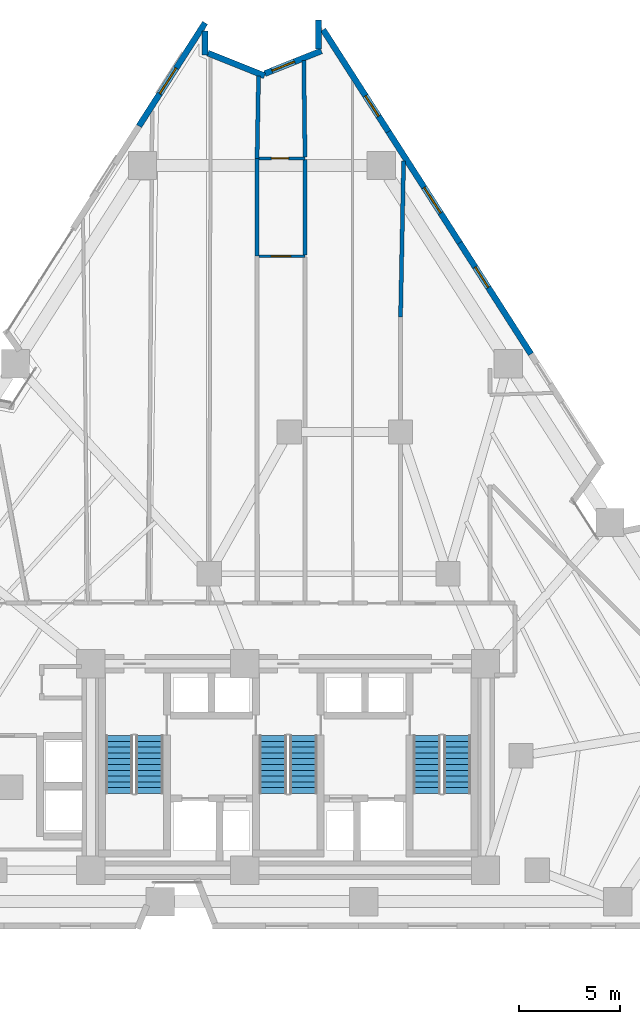
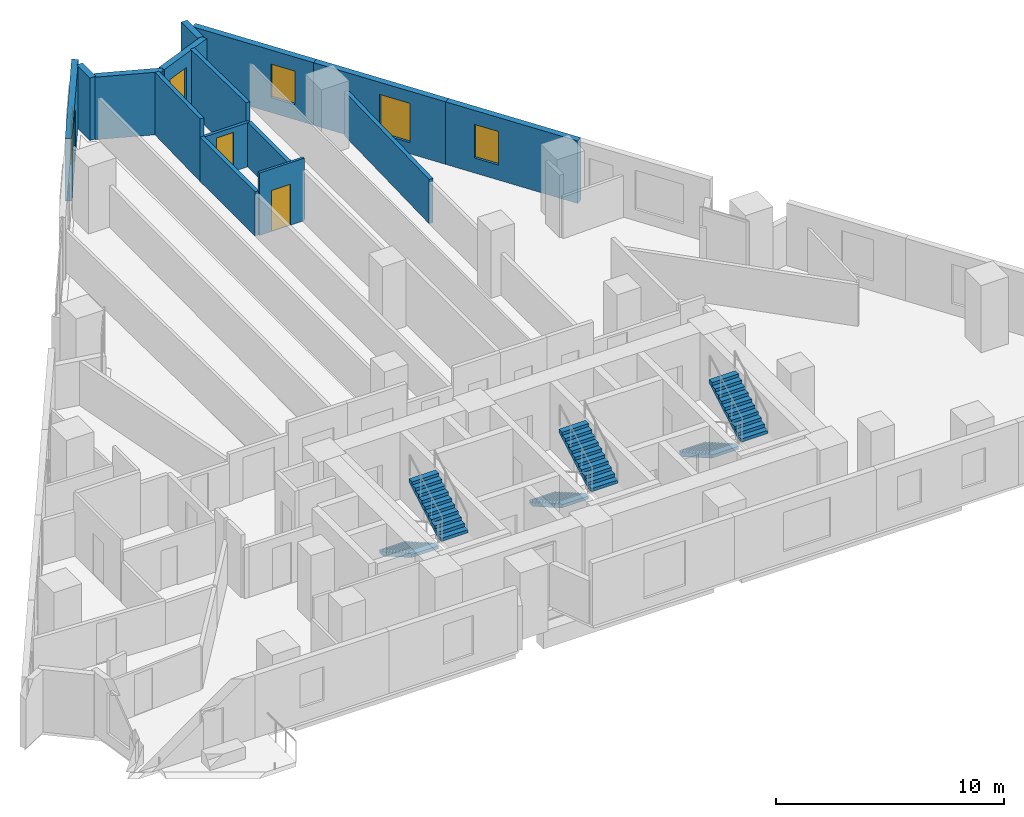
# One storey, part 11 of 15: 15 walls, 6 stair flights, 5 windows, 2 doors, 7 openings, 3 elements without a shape of their own.
"""IFC4 building model written with IfcOpenShell, lengths in metres."""

from ifc_helpers import new_model, si_unit, direction, frame, frame_2d, origin, place, context, subcontext, project, spatial, polyline, rectangle, outline, extrude, material, layer, layer_set, type_object, element, fill, aggregate, save


model = new_model("IFC4")

# Units and contexts
model_context = context("Model", 3, precision=1e-05, world=origin(), true_north=direction((0.0, 1.0)))
body_context = subcontext(model_context, "Body", "Model", "MODEL_VIEW")
ifc_project = project(units=[si_unit("LENGTHUNIT", "METRE"), si_unit("AREAUNIT", "SQUARE_METRE"), si_unit("VOLUMEUNIT", "CUBIC_METRE"), si_unit("PLANEANGLEUNIT", "RADIAN"), si_unit("MASSUNIT", "GRAM", prefix="KILO")], contexts=[model_context])

# Site, building, storey
site_placement = place(None, origin())
site = spatial("IfcSite", under=ifc_project, at=site_placement, CompositionType="ELEMENT")
building_placement = place(site_placement, origin())
building = spatial("IfcBuilding", under=site, at=building_placement, Name="Almagre Mirador Tower", CompositionType="ELEMENT")
storey_placement = place(building_placement, frame((0.0, 0.0, 31.800048828125)))
storey = spatial("IfcBuildingStorey", under=building, at=storey_placement, Name="L06", CompositionType="ELEMENT", Elevation=31.800048828125)

# Wall, opening, window
ifc_material_1 = material(Name="Precast concrete C50/60", Category="concrete")
ifc_layer_1 = layer(ifc_material_1, 0.300048828125)
ifc_layer_set_1 = layer_set([ifc_layer_1], Name="Precast concrete C50/60")
wall_type_1 = type_object("IfcWallType", Name="WAL-EXT-300", PredefinedType="SOLIDWALL", material=ifc_layer_set_1)
wall_1_placement = place(storey_placement, frame((29.92529296875, 41.321044921875, 0.0), z_axis=(0.0, 0.0, 1.0), x_axis=(0.53953502124, 0.841963158847, 0.0)))
wall_1 = element("IfcWall", 1, at=wall_1_placement, inside=storey, type_object=wall_type_1, Name="L06 expressed almagre precast frame wall 04", PredefinedType="SOLIDWALL", context=body_context, shape_type="SweptSolid", body=[
    extrude(rectangle(XDim=6.05859375, YDim=0.300048828125, at=frame_2d((3.029296875, 0.0))), origin(), (0.0, 0.0, 1.0), 3.349853515625),
])
opening_1_placement = place(wall_1_placement, frame((1.89990234375, 0.0, 0.60009765625)))
opening_1 = element("IfcOpeningElement", 2, at=opening_1_placement, cuts=wall_1, Name="Opening WN-03", PredefinedType="OPENING", context=body_context, shape_type="SweptSolid", body=[
    extrude(rectangle(XDim=1.5, YDim=2.10009765625, at=frame_2d((0.75, 1.050048828125))), frame((0.0, 0.159902, 0.0), z_axis=(0.0, -1.0, 0.0), x_axis=(1.0, 0.0, 0.0)), (0.0, 0.0, 1.0), 0.320049),
])
ifc_material_2 = material(Name="Dark solar-control laminated hurricane glass", Category="glass")
window_type_1 = type_object("IfcWindowType", Name="WIN-1500X2100", PartitioningType="DOUBLE_PANEL_VERTICAL", PredefinedType="WINDOW", material=ifc_material_2)
window_1_placement = place(opening_1_placement, origin())
window_1 = element("IfcWindow", 3, at=window_1_placement, inside=storey, type_object=window_type_1, Name="L06 recessed hurricane window L06-RST-L", OverallHeight=2.10009765625, OverallWidth=1.5, PartitioningType="SINGLE_PANEL", PredefinedType="WINDOW", context=body_context, shape_type="SweptSolid", body=[
    extrude(rectangle(XDim=1.5, YDim=2.10009765625, at=frame_2d((0.75, 1.050048828125))), frame((0.0, 0.030029296875, 0.0), z_axis=(0.0, -1.0, 0.0), x_axis=(1.0, 0.0, 0.0)), (0.0, 0.0, 1.0), 0.06005859375),
])
fill(opening_1, window_1)

# Walls
wall_2_placement = place(storey_placement, frame((33.194091796875, 46.011962890625, 0.0), z_axis=(0.0, 0.0, 1.0), x_axis=(0.0, -1.0, 0.0)))
element("IfcWall", 4, at=wall_2_placement, inside=storey, type_object=wall_type_1, Name="L06 expressed almagre precast frame wall 05", PredefinedType="SOLIDWALL", context=body_context, shape_type="SweptSolid", body=[
    extrude(rectangle(XDim=1.169921875, YDim=0.300048828125, at=frame_2d((0.5849609375, 0.0))), origin(), (0.0, 0.0, 1.0), 3.349853515625),
])
wall_3_placement = place(storey_placement, frame((33.323974609375, 44.9296875, 0.0), z_axis=(0.0, 0.0, 1.0), x_axis=(0.928091921944, -0.372351157407, 0.0)))
element("IfcWall", 5, at=wall_3_placement, inside=storey, type_object=wall_type_1, Name="L06 expressed almagre precast frame wall 06", PredefinedType="SOLIDWALL", context=body_context, shape_type="SweptSolid", body=[
    extrude(rectangle(XDim=3.023193359375, YDim=0.300048828125, at=frame_2d((1.51171875, 0.0))), origin(), (0.0, 0.0, 1.0), 3.349853515625),
])

# Wall, opening, window
wall_4_placement = place(storey_placement, frame((36.13916015625, 43.911865234375, 0.0), z_axis=(0.0, 0.0, 1.0), x_axis=(0.928057043086, 0.372438081804, 0.0)))
wall_4 = element("IfcWall", 6, at=wall_4_placement, inside=storey, type_object=wall_type_1, Name="L06 expressed almagre precast frame wall 07", PredefinedType="SOLIDWALL", context=body_context, shape_type="SweptSolid", body=[
    extrude(rectangle(XDim=3.013427734375, YDim=0.300048828125, at=frame_2d((1.5068359375, 0.0))), origin(), (0.0, 0.0, 1.0), 3.349853515625),
])
opening_2_placement = place(wall_4_placement, frame((0.385009765625, 0.0, 0.800048828125)))
opening_2 = element("IfcOpeningElement", 7, at=opening_2_placement, cuts=wall_4, Name="Opening WN-04", PredefinedType="OPENING", context=body_context, shape_type="SweptSolid", body=[
    extrude(rectangle(XDim=1.199951171875, YDim=1.800048828125, at=frame_2d((0.60009765625, 0.89990234375))), frame((0.0, 0.159902, 0.0), z_axis=(0.0, -1.0, 0.0), x_axis=(1.0, 0.0, 0.0)), (0.0, 0.0, 1.0), 0.320049),
])
ifc_material_3 = material(Name="Dark solar-control laminated hurricane glass", Category="glass")
window_type_2 = type_object("IfcWindowType", Name="WIN-1200X1800", PartitioningType="SINGLE_PANEL", PredefinedType="WINDOW", material=ifc_material_3)
window_2_placement = place(opening_2_placement, origin())
window_2 = element("IfcWindow", 8, at=window_2_placement, inside=storey, type_object=window_type_2, Name="L06 recessed hurricane window L06-UN-BT", OverallHeight=1.800048828125, OverallWidth=1.199951171875, PartitioningType="SINGLE_PANEL", PredefinedType="WINDOW", context=body_context, shape_type="SweptSolid", body=[
    extrude(rectangle(XDim=1.199951171875, YDim=1.800048828125, at=frame_2d((0.60009765625, 0.89990234375))), frame((0.0, 0.030029296875, 0.0), z_axis=(0.0, -1.0, 0.0), x_axis=(1.0, 0.0, 0.0)), (0.0, 0.0, 1.0), 0.06005859375),
])
fill(opening_2, window_2)

# Wall
wall_5_placement = place(storey_placement, frame((38.805908203125, 45.1220703125, 0.0), z_axis=(0.0, 0.0, 1.0), x_axis=(0.0, 1.0, 0.0)))
element("IfcWall", 9, at=wall_5_placement, inside=storey, type_object=wall_type_1, Name="L06 expressed almagre precast frame wall 08", PredefinedType="SOLIDWALL", context=body_context, shape_type="SweptSolid", body=[
    extrude(rectangle(XDim=1.43994140625, YDim=0.300048828125, at=frame_2d((0.719970703125, 0.0))), origin(), (0.0, 0.0, 1.0), 3.349853515625),
])

# Wall, opening, window
wall_6_placement = place(storey_placement, frame((39.0244140625, 46.0810546875, 0.0), z_axis=(0.0, 0.0, 1.0), x_axis=(0.539527381639, -0.8419680543, 0.0)))
wall_6 = element("IfcWall", 10, at=wall_6_placement, inside=storey, type_object=wall_type_1, Name="L06 expressed almagre precast frame wall 09", PredefinedType="SOLIDWALL", context=body_context, shape_type="SweptSolid", body=[
    extrude(rectangle(XDim=5.980712890625, YDim=0.300048828125, at=frame_2d((2.990234375, 0.0))), origin(), (0.0, 0.0, 1.0), 3.349853515625),
])
opening_3_placement = place(wall_6_placement, frame((3.8798828125, 0.0, 0.800048828125)))
opening_3 = element("IfcOpeningElement", 11, at=opening_3_placement, cuts=wall_6, Name="Opening WN-04", PredefinedType="OPENING", context=body_context, shape_type="SweptSolid", body=[
    extrude(rectangle(XDim=1.199951171875, YDim=1.800048828125, at=frame_2d((0.60009765625, 0.89990234375))), frame((0.0, 0.159902, 0.0), z_axis=(0.0, -1.0, 0.0), x_axis=(1.0, 0.0, 0.0)), (0.0, 0.0, 1.0), 0.320049),
])
window_3_placement = place(opening_3_placement, origin())
window_3 = element("IfcWindow", 12, at=window_3_placement, inside=storey, type_object=window_type_2, Name="L06 recessed hurricane window L06-RST-A", OverallHeight=1.800048828125, OverallWidth=1.199951171875, PartitioningType="SINGLE_PANEL", PredefinedType="WINDOW", context=body_context, shape_type="SweptSolid", body=[
    extrude(rectangle(XDim=1.199951171875, YDim=1.800048828125, at=frame_2d((0.60009765625, 0.89990234375))), frame((0.0, 0.030029296875, 0.0), z_axis=(0.0, -1.0, 0.0), x_axis=(1.0, 0.0, 0.0)), (0.0, 0.0, 1.0), 0.06005859375),
])
fill(opening_3, window_3)

wall_7_placement = place(storey_placement, frame((42.251220703125, 41.04541015625, 0.0), z_axis=(0.0, 0.0, 1.0), x_axis=(0.539526045631, -0.841968910403, 0.0)))
wall_7 = element("IfcWall", 13, at=wall_7_placement, inside=storey, type_object=wall_type_1, Name="L06 expressed almagre precast frame wall 10", PredefinedType="SOLIDWALL", context=body_context, shape_type="SweptSolid", body=[
    extrude(rectangle(XDim=6.525634765625, YDim=0.300048828125, at=frame_2d((3.2626953125, 0.0))), origin(), (0.0, 0.0, 1.0), 3.349853515625),
])
opening_4_placement = place(wall_7_placement, frame((3.27490234375, 0.0, 0.60009765625)))
opening_4 = element("IfcOpeningElement", 14, at=opening_4_placement, cuts=wall_7, Name="Opening WN-03", PredefinedType="OPENING", context=body_context, shape_type="SweptSolid", body=[
    extrude(rectangle(XDim=1.5, YDim=2.10009765625, at=frame_2d((0.75, 1.050048828125))), frame((0.0, 0.159902, 0.0), z_axis=(0.0, -1.0, 0.0), x_axis=(1.0, 0.0, 0.0)), (0.0, 0.0, 1.0), 0.320049),
])
window_4_placement = place(opening_4_placement, origin())
window_4 = element("IfcWindow", 15, at=window_4_placement, inside=storey, type_object=window_type_1, Name="L06 recessed hurricane window L06-UB-KT-2", OverallHeight=2.10009765625, OverallWidth=1.5, PartitioningType="SINGLE_PANEL", PredefinedType="WINDOW", context=body_context, shape_type="SweptSolid", body=[
    extrude(rectangle(XDim=1.5, YDim=2.10009765625, at=frame_2d((0.75, 1.050048828125))), frame((0.0, 0.030029296875, 0.0), z_axis=(0.0, -1.0, 0.0), x_axis=(1.0, 0.0, 0.0)), (0.0, 0.0, 1.0), 0.06005859375),
])
fill(opening_4, window_4)

wall_8_placement = place(storey_placement, frame((45.77197265625, 35.551025390625, 0.0), z_axis=(0.0, 0.0, 1.0), x_axis=(0.539526045631, -0.841968910403, 0.0)))
wall_8 = element("IfcWall", 16, at=wall_8_placement, inside=storey, type_object=wall_type_1, Name="L06 expressed almagre precast frame wall 11", PredefinedType="SOLIDWALL", context=body_context, shape_type="SweptSolid", body=[
    extrude(rectangle(XDim=6.525634765625, YDim=0.300048828125, at=frame_2d((3.2626953125, 0.0))), origin(), (0.0, 0.0, 1.0), 3.349853515625),
])
opening_5_placement = place(wall_8_placement, frame((1.425048828125, 0.0, 0.800048828125)))
opening_5 = element("IfcOpeningElement", 17, at=opening_5_placement, cuts=wall_8, Name="Opening WN-04", PredefinedType="OPENING", context=body_context, shape_type="SweptSolid", body=[
    extrude(rectangle(XDim=1.199951171875, YDim=1.800048828125, at=frame_2d((0.60009765625, 0.89990234375))), frame((0.0, 0.159902, 0.0), z_axis=(0.0, -1.0, 0.0), x_axis=(1.0, 0.0, 0.0)), (0.0, 0.0, 1.0), 0.320049),
])
window_5_placement = place(opening_5_placement, origin())
window_5 = element("IfcWindow", 18, at=window_5_placement, inside=storey, type_object=window_type_2, Name="L06 recessed hurricane window L06-UB-BT-2", OverallHeight=1.800048828125, OverallWidth=1.199951171875, PartitioningType="SINGLE_PANEL", PredefinedType="WINDOW", context=body_context, shape_type="SweptSolid", body=[
    extrude(rectangle(XDim=1.199951171875, YDim=1.800048828125, at=frame_2d((0.60009765625, 0.89990234375))), frame((0.0, 0.030029296875, 0.0), z_axis=(0.0, -1.0, 0.0), x_axis=(1.0, 0.0, 0.0)), (0.0, 0.0, 1.0), 0.06005859375),
])
fill(opening_5, window_5)

# Wall, opening, door
ifc_material_4 = material(Name="Gypsum acoustic stud partition", Category="other")
ifc_layer_2 = layer(ifc_material_4, 0.125)
ifc_layer_set_2 = layer_set([ifc_layer_2], Name="Gypsum acoustic stud partition")
wall_type_2 = type_object("IfcWallType", Name="WAL-PRT-125-UTL", PredefinedType="PARTITIONING", material=ifc_layer_set_2)
wall_9_placement = place(storey_placement, frame((38.1298828125, 34.89990234375, 0.0), z_axis=(0.0, 0.0, 1.0), x_axis=(-1.0, 0.0, 0.0)))
wall_9 = element("IfcWall", 19, at=wall_9_placement, inside=storey, type_object=wall_type_2, Name="L06 interior partition 056", PredefinedType="PARTITIONING", context=body_context, shape_type="SweptSolid", body=[
    extrude(rectangle(XDim=2.284912109375, YDim=0.125, at=frame_2d((1.142578125, 0.0))), origin(), (0.0, 0.0, 1.0), 3.349853515625),
])
opening_6_placement = place(wall_9_placement, frame((0.7099609375, 0.0, 0.0)))
opening_6 = element("IfcOpeningElement", 20, at=opening_6_placement, cuts=wall_9, Name="Opening UD-01", PredefinedType="OPENING", context=body_context, shape_type="SweptSolid", body=[
    extrude(rectangle(XDim=0.949951171875, YDim=2.199951171875, at=frame_2d((0.47509765625, 1.10009765625))), frame((0.0, 0.0725, 0.0), z_axis=(0.0, -1.0, 0.0), x_axis=(1.0, 0.0, 0.0)), (0.0, 0.0, 1.0), 0.145),
])
ifc_material_5 = material(Name="Solid American walnut timber", Category="wood")
door_type_1 = type_object("IfcDoorType", Name="DOR-UNR-950X2200", OperationType="NOTDEFINED", PredefinedType="DOOR", material=ifc_material_5)
door_1_placement = place(opening_6_placement, origin())
door_1 = element("IfcDoor", 21, at=door_1_placement, inside=storey, type_object=door_type_1, Name="DR-0195 L06 interior door L06-UN-ST to L06-UN-KT", OperationType="SINGLE_SWING_RIGHT", OverallHeight=2.199951171875, OverallWidth=0.949951171875, PredefinedType="DOOR", context=body_context, shape_type="SweptSolid", body=[
    extrude(rectangle(XDim=0.949951171875, YDim=2.199951171875, at=frame_2d((0.47509765625, 1.10009765625))), frame((0.0, 0.02490234375, 0.0), z_axis=(0.0, -1.0, 0.0), x_axis=(1.0, 0.0, 0.0)), (0.0, 0.0, 1.0), 0.050048828125),
])
fill(opening_6, door_1)

ifc_material_6 = material(Name="Gypsum acoustic stud partition", Category="other")
ifc_layer_3 = layer(ifc_material_6, 0.14990234375)
ifc_layer_set_3 = layer_set([ifc_layer_3], Name="Gypsum acoustic stud partition")
wall_type_3 = type_object("IfcWallType", Name="WAL-PRT-150-STD", PredefinedType="PARTITIONING", material=ifc_layer_set_3)
wall_10_placement = place(storey_placement, frame((38.1298828125, 39.719970703125, 0.0), z_axis=(0.0, 0.0, 1.0), x_axis=(-1.0, 0.0, 0.0)))
wall_10 = element("IfcWall", 22, at=wall_10_placement, inside=storey, type_object=wall_type_3, Name="L06 interior partition 059", PredefinedType="PARTITIONING", context=body_context, shape_type="SweptSolid", body=[
    extrude(rectangle(XDim=2.284912109375, YDim=0.14990234375, at=frame_2d((1.142578125, 0.0))), origin(), (0.0, 0.0, 1.0), 2.369873046875),
])
opening_7_placement = place(wall_10_placement, frame((0.81640625, 0.0, 0.0)))
opening_7 = element("IfcOpeningElement", 23, at=opening_7_placement, cuts=wall_10, Name="Opening UD-04", PredefinedType="OPENING", context=body_context, shape_type="SweptSolid", body=[
    extrude(rectangle(XDim=0.85009765625, YDim=2.10009765625, at=frame_2d((0.425048828125, 1.050048828125))), frame((0.0, 0.084951, 0.0), z_axis=(0.0, -1.0, 0.0), x_axis=(1.0, 0.0, 0.0)), (0.0, 0.0, 1.0), 0.169902),
])
ifc_material_7 = material(Name="Moisture-resistant oak timber", Category="wood")
door_type_2 = type_object("IfcDoorType", Name="DOR-UNR-850X2100", OperationType="NOTDEFINED", PredefinedType="DOOR", material=ifc_material_7)
door_2_placement = place(opening_7_placement, origin())
door_2 = element("IfcDoor", 24, at=door_2_placement, inside=storey, type_object=door_type_2, Name="DR-0196 L06 interior door L06-UN-KT to L06-UN-BT", OperationType="SINGLE_SWING_LEFT", OverallHeight=2.10009765625, OverallWidth=0.85009765625, PredefinedType="DOOR", context=body_context, shape_type="SweptSolid", body=[
    extrude(rectangle(XDim=0.85009765625, YDim=2.10009765625, at=frame_2d((0.425048828125, 1.050048828125))), frame((0.0, 0.02490234375, 0.0), z_axis=(0.0, -1.0, 0.0), x_axis=(1.0, 0.0, 0.0)), (0.0, 0.0, 1.0), 0.050048828125),
])
fill(opening_7, door_2)

# Walls
ifc_material_8 = material(Name="Gypsum acoustic stud partition", Category="other")
ifc_layer_4 = layer(ifc_material_8, 0.199951171875)
ifc_layer_set_4 = layer_set([ifc_layer_4], Name="Gypsum acoustic stud partition")
wall_type_4 = type_object("IfcWallType", Name="WAL-PRT-200-EI60", PredefinedType="PARTITIONING", material=ifc_layer_set_4)
wall_11_placement = place(storey_placement, frame((35.760009765625, 34.89990234375, 0.0), z_axis=(0.0, 0.0, 1.0), x_axis=(0.0, 1.0, 0.0)))
element("IfcWall", 25, at=wall_11_placement, inside=storey, type_object=wall_type_4, Name="L06 interior partition 054", PredefinedType="PARTITIONING", context=body_context, shape_type="SweptSolid", body=[
    extrude(rectangle(XDim=4.820068359375, YDim=0.199951171875, at=frame_2d((2.41015625, 0.0))), origin(), (0.0, 0.0, 1.0), 2.369873046875),
])
wall_12_placement = place(storey_placement, frame((35.760009765625, 39.719970703125, 0.0), z_axis=(0.0, 0.0, 1.0), x_axis=(0.018136384294, 0.999835522256, 0.0)))
element("IfcWall", 26, at=wall_12_placement, inside=storey, type_object=wall_type_4, Name="L06 interior partition 055", PredefinedType="PARTITIONING", context=body_context, shape_type="SweptSolid", body=[
    extrude(rectangle(XDim=4.078857421875, YDim=0.199951171875, at=frame_2d((2.03955078125, 0.0))), origin(), (0.0, 0.0, 1.0), 3.349853515625),
])
wall_13_placement = place(storey_placement, frame((38.1298828125, 34.947509765625, 0.0), z_axis=(0.0, 0.0, 1.0), x_axis=(0.0, 1.0, 0.0)))
element("IfcWall", 27, at=wall_13_placement, inside=storey, type_object=wall_type_4, Name="L06 interior partition 060", PredefinedType="PARTITIONING", context=body_context, shape_type="SweptSolid", body=[
    extrude(rectangle(XDim=4.71240234375, YDim=0.199951171875, at=frame_2d((2.356201171875, 0.0))), origin(), (0.0, 0.0, 1.0), 2.369873046875),
])
wall_14_placement = place(storey_placement, frame((38.12939453125, 39.780029296875, 0.0), z_axis=(0.0, 0.0, 1.0), x_axis=(-0.01278680862, 0.999918245421, 0.0)))
element("IfcWall", 28, at=wall_14_placement, inside=storey, type_object=wall_type_4, Name="L06 interior partition 061", PredefinedType="PARTITIONING", context=body_context, shape_type="SweptSolid", body=[
    extrude(rectangle(XDim=4.79248046875, YDim=0.199951171875, at=frame_2d((2.396240234375, 0.0))), origin(), (0.0, 0.0, 1.0), 3.349853515625),
])
wall_15_placement = place(storey_placement, frame((42.85009765625, 31.889892578125, 0.0), z_axis=(0.0, 0.0, 1.0), x_axis=(0.019600966642, 0.999807882599, 0.0)))
element("IfcWall", 29, at=wall_15_placement, inside=storey, type_object=wall_type_4, Name="L06 interior partition 064", PredefinedType="PARTITIONING", context=body_context, shape_type="SweptSolid", body=[
    extrude(rectangle(XDim=7.697509765625, YDim=0.199951171875, at=frame_2d((3.8486328125, 0.0))), origin(), (0.0, 0.0, 1.0), 2.369873046875),
])

# Stair, stair flights
ifc_material_9 = material(Name="Concrete C45/55", Category="concrete")
stair_type = type_object("IfcStairType", Name="STR-DL-3600", PredefinedType="HALF_TURN_STAIR", material=ifc_material_9)
stair_1_placement = place(storey_placement, origin())
stair_1 = element("IfcStair", 30, at=stair_1_placement, inside=storey, type_object=stair_type, Name="L06 Protected exit stair ST-1", PredefinedType="HALF_TURN_STAIR")
ifc_material_10 = material(Name="Concrete C45/55", Category="concrete")
stair_flight_type = type_object("IfcStairFlightType", Name="FLT-DL-3600", PredefinedType="STRAIGHT", material=ifc_material_10)
stair_flight_1_placement = place(storey_placement, frame((28.949951171875, 11.199951171875, 0.0), z_axis=(0.0, 0.0, 1.0), x_axis=(0.0, -1.0, 0.0)))
stair_flight_1 = element("IfcStairFlight", 31, at=stair_flight_1_placement, type_object=stair_flight_type, Name="ST-1 flight 1", NumberOfRisers=11, NumberOfTreads=10, PredefinedType="STRAIGHT", RiserHeight=0.163636364, TreadLength=0.285, context=body_context, shape_type="SweptSolid", body=[
    extrude(outline(polyline([(0.0, 0.0), (0.0, 0.16357421875), (0.284912109375, 0.16357421875), (0.284912109375, 0.327392578125), (0.570068359375, 0.327392578125), (0.570068359375, 0.490966796875), (0.85498046875, 0.490966796875), (0.85498046875, 0.654541015625), (1.139892578125, 0.654541015625), (1.139892578125, 0.818115234375), (1.425048828125, 0.818115234375), (1.425048828125, 0.98193359375), (1.7099609375, 0.98193359375), (1.7099609375, 1.1455078125), (1.9951171875, 1.1455078125), (1.9951171875, 1.30908203125), (2.280029296875, 1.30908203125), (2.280029296875, 1.47265625), (2.56494140625, 1.47265625), (2.56494140625, 1.636474609375), (2.85009765625, 1.636474609375), (2.85009765625, 1.800048828125), (2.85009765625, 1.463623046875), (0.301025390625, 0.0), (0.0, 0.0)])), frame((0.0, 0.675048828125, 0.0), z_axis=(0.0, -1.0, 0.0), x_axis=(1.0, 0.0, 0.0)), (0.0, 0.0, 1.0), 1.35009765625),
])
stair_flight_2_placement = place(storey_placement, frame((30.449951171875, 8.35009765625, 1.800048828125), z_axis=(0.0, 0.0, 1.0), x_axis=(0.0, 1.0, 0.0)))
stair_flight_2 = element("IfcStairFlight", 32, at=stair_flight_2_placement, type_object=stair_flight_type, Name="ST-1 flight 2", NumberOfRisers=11, NumberOfTreads=10, PredefinedType="STRAIGHT", RiserHeight=0.163636364, TreadLength=0.285, context=body_context, shape_type="SweptSolid", body=[
    extrude(outline(polyline([(0.0, 0.0), (0.0, 0.16357421875), (0.284912109375, 0.16357421875), (0.284912109375, 0.327392578125), (0.570068359375, 0.327392578125), (0.570068359375, 0.490966796875), (0.85498046875, 0.490966796875), (0.85498046875, 0.654541015625), (1.139892578125, 0.654541015625), (1.139892578125, 0.818115234375), (1.425048828125, 0.818115234375), (1.425048828125, 0.98193359375), (1.7099609375, 0.98193359375), (1.7099609375, 1.1455078125), (1.9951171875, 1.1455078125), (1.9951171875, 1.30908203125), (2.280029296875, 1.30908203125), (2.280029296875, 1.47265625), (2.56494140625, 1.47265625), (2.56494140625, 1.636474609375), (2.85009765625, 1.636474609375), (2.85009765625, 1.800048828125), (2.85009765625, 1.463623046875), (0.301025390625, 0.0), (0.0, 0.0)])), frame((0.0, 0.675048828125, 0.0), z_axis=(0.0, -1.0, 0.0), x_axis=(1.0, 0.0, 0.0)), (0.0, 0.0, 1.0), 1.35009765625),
])
aggregate(stair_1, [stair_flight_1, stair_flight_2])

stair_2_placement = place(storey_placement, origin())
stair_2 = element("IfcStair", 33, at=stair_2_placement, inside=storey, type_object=stair_type, Name="L06 Protected exit stair ST-2", PredefinedType="HALF_TURN_STAIR")
stair_flight_3_placement = place(storey_placement, frame((36.550048828125, 11.199951171875, 0.0), z_axis=(0.0, 0.0, 1.0), x_axis=(0.0, -1.0, 0.0)))
stair_flight_3 = element("IfcStairFlight", 34, at=stair_flight_3_placement, type_object=stair_flight_type, Name="ST-2 flight 1", NumberOfRisers=11, NumberOfTreads=10, PredefinedType="STRAIGHT", RiserHeight=0.163636364, TreadLength=0.285, context=body_context, shape_type="SweptSolid", body=[
    extrude(outline(polyline([(0.0, 0.0), (0.0, 0.16357421875), (0.284912109375, 0.16357421875), (0.284912109375, 0.327392578125), (0.570068359375, 0.327392578125), (0.570068359375, 0.490966796875), (0.85498046875, 0.490966796875), (0.85498046875, 0.654541015625), (1.139892578125, 0.654541015625), (1.139892578125, 0.818115234375), (1.425048828125, 0.818115234375), (1.425048828125, 0.98193359375), (1.7099609375, 0.98193359375), (1.7099609375, 1.1455078125), (1.9951171875, 1.1455078125), (1.9951171875, 1.30908203125), (2.280029296875, 1.30908203125), (2.280029296875, 1.47265625), (2.56494140625, 1.47265625), (2.56494140625, 1.636474609375), (2.85009765625, 1.636474609375), (2.85009765625, 1.800048828125), (2.85009765625, 1.463623046875), (0.301025390625, 0.0), (0.0, 0.0)])), frame((0.0, 0.675048828125, 0.0), z_axis=(0.0, -1.0, 0.0), x_axis=(1.0, 0.0, 0.0)), (0.0, 0.0, 1.0), 1.35009765625),
])
stair_flight_4_placement = place(storey_placement, frame((38.050048828125, 8.35009765625, 1.800048828125), z_axis=(0.0, 0.0, 1.0), x_axis=(0.0, 1.0, 0.0)))
stair_flight_4 = element("IfcStairFlight", 35, at=stair_flight_4_placement, type_object=stair_flight_type, Name="ST-2 flight 2", NumberOfRisers=11, NumberOfTreads=10, PredefinedType="STRAIGHT", RiserHeight=0.163636364, TreadLength=0.285, context=body_context, shape_type="SweptSolid", body=[
    extrude(outline(polyline([(0.0, 0.0), (0.0, 0.16357421875), (0.284912109375, 0.16357421875), (0.284912109375, 0.327392578125), (0.570068359375, 0.327392578125), (0.570068359375, 0.490966796875), (0.85498046875, 0.490966796875), (0.85498046875, 0.654541015625), (1.139892578125, 0.654541015625), (1.139892578125, 0.818115234375), (1.425048828125, 0.818115234375), (1.425048828125, 0.98193359375), (1.7099609375, 0.98193359375), (1.7099609375, 1.1455078125), (1.9951171875, 1.1455078125), (1.9951171875, 1.30908203125), (2.280029296875, 1.30908203125), (2.280029296875, 1.47265625), (2.56494140625, 1.47265625), (2.56494140625, 1.636474609375), (2.85009765625, 1.636474609375), (2.85009765625, 1.800048828125), (2.85009765625, 1.463623046875), (0.301025390625, 0.0), (0.0, 0.0)])), frame((0.0, 0.675048828125, 0.0), z_axis=(0.0, -1.0, 0.0), x_axis=(1.0, 0.0, 0.0)), (0.0, 0.0, 1.0), 1.35009765625),
])
aggregate(stair_2, [stair_flight_3, stair_flight_4])

stair_3_placement = place(storey_placement, origin())
stair_3 = element("IfcStair", 36, at=stair_3_placement, inside=storey, type_object=stair_type, Name="L06 Protected exit stair ST-3", PredefinedType="HALF_TURN_STAIR")
stair_flight_5_placement = place(storey_placement, frame((44.14990234375, 11.199951171875, 0.0), z_axis=(0.0, 0.0, 1.0), x_axis=(0.0, -1.0, 0.0)))
stair_flight_5 = element("IfcStairFlight", 37, at=stair_flight_5_placement, type_object=stair_flight_type, Name="ST-3 flight 1", NumberOfRisers=11, NumberOfTreads=10, PredefinedType="STRAIGHT", RiserHeight=0.163636364, TreadLength=0.285, context=body_context, shape_type="SweptSolid", body=[
    extrude(outline(polyline([(0.0, 0.0), (0.0, 0.16357421875), (0.284912109375, 0.16357421875), (0.284912109375, 0.327392578125), (0.570068359375, 0.327392578125), (0.570068359375, 0.490966796875), (0.85498046875, 0.490966796875), (0.85498046875, 0.654541015625), (1.139892578125, 0.654541015625), (1.139892578125, 0.818115234375), (1.425048828125, 0.818115234375), (1.425048828125, 0.98193359375), (1.7099609375, 0.98193359375), (1.7099609375, 1.1455078125), (1.9951171875, 1.1455078125), (1.9951171875, 1.30908203125), (2.280029296875, 1.30908203125), (2.280029296875, 1.47265625), (2.56494140625, 1.47265625), (2.56494140625, 1.636474609375), (2.85009765625, 1.636474609375), (2.85009765625, 1.800048828125), (2.85009765625, 1.463623046875), (0.301025390625, 0.0), (0.0, 0.0)])), frame((0.0, 0.675048828125, 0.0), z_axis=(0.0, -1.0, 0.0), x_axis=(1.0, 0.0, 0.0)), (0.0, 0.0, 1.0), 1.35009765625),
])
stair_flight_6_placement = place(storey_placement, frame((45.64990234375, 8.35009765625, 1.800048828125), z_axis=(0.0, 0.0, 1.0), x_axis=(0.0, 1.0, 0.0)))
stair_flight_6 = element("IfcStairFlight", 38, at=stair_flight_6_placement, type_object=stair_flight_type, Name="ST-3 flight 2", NumberOfRisers=11, NumberOfTreads=10, PredefinedType="STRAIGHT", RiserHeight=0.163636364, TreadLength=0.285, context=body_context, shape_type="SweptSolid", body=[
    extrude(outline(polyline([(0.0, 0.0), (0.0, 0.16357421875), (0.284912109375, 0.16357421875), (0.284912109375, 0.327392578125), (0.570068359375, 0.327392578125), (0.570068359375, 0.490966796875), (0.85498046875, 0.490966796875), (0.85498046875, 0.654541015625), (1.139892578125, 0.654541015625), (1.139892578125, 0.818115234375), (1.425048828125, 0.818115234375), (1.425048828125, 0.98193359375), (1.7099609375, 0.98193359375), (1.7099609375, 1.1455078125), (1.9951171875, 1.1455078125), (1.9951171875, 1.30908203125), (2.280029296875, 1.30908203125), (2.280029296875, 1.47265625), (2.56494140625, 1.47265625), (2.56494140625, 1.636474609375), (2.85009765625, 1.636474609375), (2.85009765625, 1.800048828125), (2.85009765625, 1.463623046875), (0.301025390625, 0.0), (0.0, 0.0)])), frame((0.0, 0.675048828125, 0.0), z_axis=(0.0, -1.0, 0.0), x_axis=(1.0, 0.0, 0.0)), (0.0, 0.0, 1.0), 1.35009765625),
])
aggregate(stair_3, [stair_flight_5, stair_flight_6])

save(model, "model.ifc")
